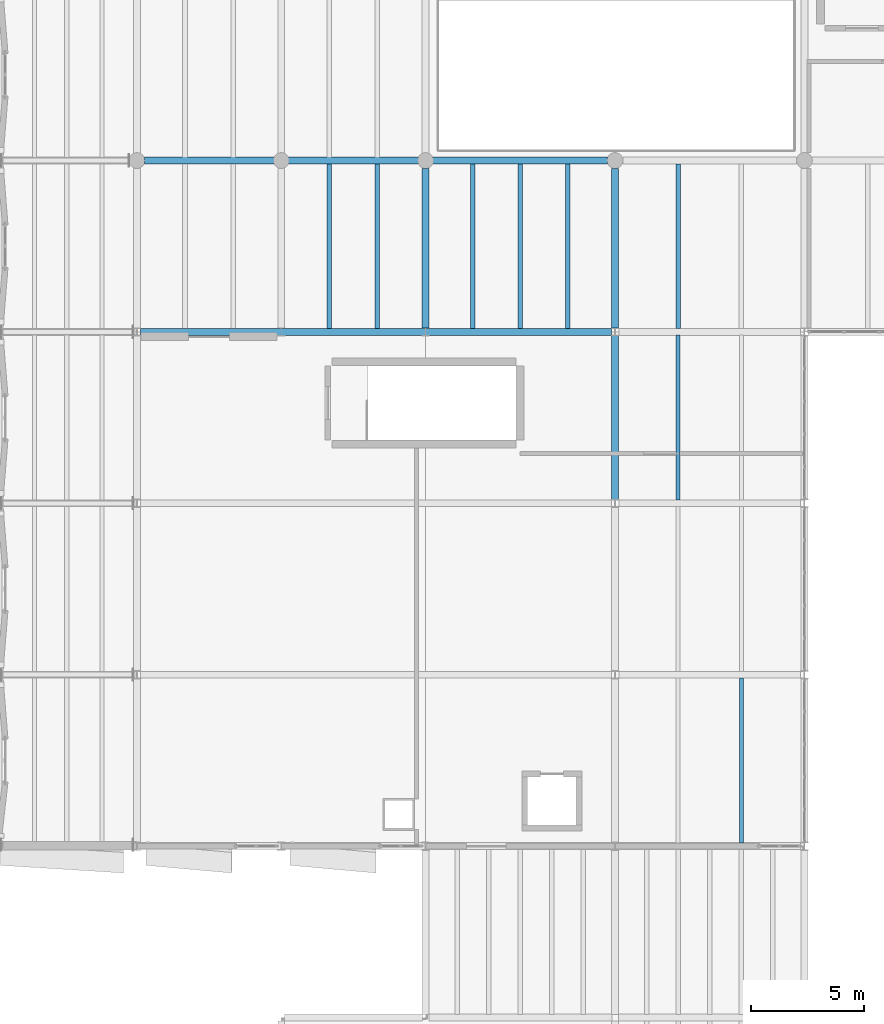
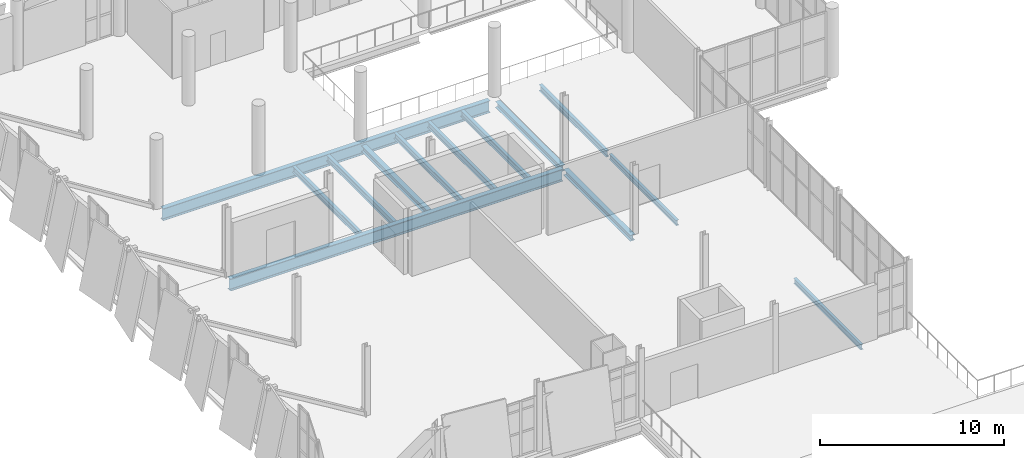
# One storey, part 13 of 74: 13 beams.
"""IFC4 building model written with IfcOpenShell, lengths in metres."""

from ifc_helpers import new_model, si_unit, direction, frame, origin, origin_2d, place, context, subcontext, project, spatial, i_section, extrude, material, material_profile, profile_set, type_object, element, save


model = new_model("IFC4")

# Units and contexts
model_context = context("Model", 3, precision=1e-05, world=origin(), true_north=direction((0.0, 1.0)))
body_context = subcontext(model_context, "Body", "Model", "MODEL_VIEW")
ifc_project = project(units=[si_unit("LENGTHUNIT", "METRE"), si_unit("AREAUNIT", "SQUARE_METRE"), si_unit("VOLUMEUNIT", "CUBIC_METRE"), si_unit("PLANEANGLEUNIT", "RADIAN"), si_unit("MASSUNIT", "GRAM", prefix="KILO")], contexts=[model_context])

# Site, building, storey
site_placement = place(None, origin())
site = spatial("IfcSite", under=ifc_project, at=site_placement, CompositionType="ELEMENT")
building_placement = place(site_placement, origin())
building = spatial("IfcBuilding", under=site, at=building_placement, Name="Shengluoqiao Park Theatre", CompositionType="ELEMENT")
storey_placement = place(building_placement, frame((0.0, 0.0, 14.60009765625)))
storey = spatial("IfcBuildingStorey", under=building, at=storey_placement, Name="L03", CompositionType="ELEMENT", Elevation=14.60009765625)

# Beams
ifc_material_1 = material(Name="Steel Q355", Category="steel")
ifc_material_profile_1 = material_profile(ifc_material_1, i_section(OverallWidth=0.300048828125, OverallDepth=0.389892578125, WebThickness=0.010009765625, FlangeThickness=0.01611328125, FilletRadius=0.01806640625, at=origin_2d()), Name="HM 390x300x10x16")
ifc_profile_set_1 = profile_set([ifc_material_profile_1], Name="Steel Q355")
beam_type_1 = type_object("IfcBeamType", Name="STR-BM-G-HM390", PredefinedType="BEAM", material=ifc_profile_set_1)
beam_1_placement = place(storey_placement, frame((27.60009765625, 45.76611328125, -0.43505859375), z_axis=(0.0, 1.0, 0.0), x_axis=(-1.0, 0.0, 0.0)))
element("IfcBeam", 1, at=beam_1_placement, inside=storey, type_object=beam_type_1, Name="L03 Transverse Girder 01299", PredefinedType="BEAM", context=body_context, shape_type="SweptSolid", body=[
    extrude(i_section(OverallWidth=0.300048828125, OverallDepth=0.389892578125, WebThickness=0.010009765625, FlangeThickness=0.01611328125, FilletRadius=0.01806640625, at=origin_2d()), origin(), (0.0, 0.0, 1.0), 7.267822265625),
])
for number, where, z_axis, x_axis, name in (
    (2, (19.199951171875, 53.365966796875, -0.43505859375), (0.0, 1.0, 0.0), (-1.0, 0.0, 0.0), "L03 Transverse Girder 01315"),
    (3, (27.60009765625, 53.365966796875, -0.43505859375), (0.0, 1.0, 0.0), (-1.0, 0.0, 0.0), "L03 Transverse Girder 01318"),
):
    element("IfcBeam", number, at=place(storey_placement, frame(where, z_axis=z_axis, x_axis=x_axis)), inside=storey, type_object=beam_type_1, Name=name, PredefinedType="BEAM", context=body_context, shape_type="SweptSolid", body=[
        extrude(i_section(OverallWidth=0.300048828125, OverallDepth=0.389892578125, WebThickness=0.010009765625, FlangeThickness=0.01611328125, FilletRadius=0.01806640625, at=origin_2d()), origin(), (0.0, 0.0, 1.0), 7.090087890625),
    ])
ifc_material_2 = material(Name="Steel Q390", Category="steel")
ifc_material_profile_2 = material_profile(ifc_material_2, i_section(OverallWidth=0.300048828125, OverallDepth=0.800048828125, WebThickness=0.013916015625, FlangeThickness=0.02587890625, FilletRadius=0.02587890625, at=origin_2d()), Name="HN 800x300x14x26")
ifc_profile_set_2 = profile_set([ifc_material_profile_2], Name="Steel Q390")
beam_type_2 = type_object("IfcBeamType", Name="STR-BM-G-HN800", PredefinedType="BEAM", material=ifc_profile_set_2)
beam_2_placement = place(storey_placement, frame((6.56201171875, 53.199951171875, -0.64013671875), z_axis=(1.0, 0.0, 0.0), x_axis=(0.0, 1.0, 0.0)))
element("IfcBeam", 4, at=beam_2_placement, inside=storey, type_object=beam_type_2, Name="CT-V3-4 L03 Continuous Back-Span Chord", PredefinedType="BEAM", context=body_context, shape_type="SweptSolid", body=[
    extrude(i_section(OverallWidth=0.300048828125, OverallDepth=0.800048828125, WebThickness=0.013916015625, FlangeThickness=0.02587890625, FilletRadius=0.02587890625, at=origin_2d()), origin(), (0.0, 0.0, 1.0), 20.8759765625),
])
beam_3_placement = place(storey_placement, frame((6.738037109375, 60.800048828125, -0.64013671875), z_axis=(1.0, 0.0, 0.0), x_axis=(0.0, 1.0, 0.0)))
element("IfcBeam", 5, at=beam_3_placement, inside=storey, type_object=beam_type_2, Name="CT-V5-1 L03 Continuous Back-Span Chord", PredefinedType="BEAM", context=body_context, shape_type="SweptSolid", body=[
    extrude(i_section(OverallWidth=0.300048828125, OverallDepth=0.800048828125, WebThickness=0.013916015625, FlangeThickness=0.02587890625, FilletRadius=0.02587890625, at=origin_2d()), origin(), (0.0, 0.0, 1.0), 20.52392578125),
])
ifc_material_profile_3 = material_profile(ifc_material_1, i_section(OverallWidth=0.175048828125, OverallDepth=0.35009765625, WebThickness=0.007080078125, FlangeThickness=0.010986328125, FilletRadius=0.013916015625, at=origin_2d()), Name="HN 350x175x7x11")
ifc_profile_set_3 = profile_set([ifc_material_profile_3], Name="Steel Q355")
beam_type_3 = type_object("IfcBeamType", Name="STR-BM-J-HN350", PredefinedType="JOIST", material=ifc_profile_set_3)
beam_4_placement = place(storey_placement, frame((33.199951171875, 30.544921875, -0.4150390625), z_axis=(0.0, 1.0, 0.0), x_axis=(-1.0, 0.0, 0.0)))
element("IfcBeam", 6, at=beam_4_placement, inside=storey, type_object=beam_type_3, Name="L03 Composite Joist 01304", PredefinedType="JOIST", context=body_context, shape_type="SweptSolid", body=[
    extrude(i_section(OverallWidth=0.175048828125, OverallDepth=0.35009765625, WebThickness=0.007080078125, FlangeThickness=0.010986328125, FilletRadius=0.013916015625, at=origin_2d()), origin(), (0.0, 0.0, 1.0), 7.31005859375),
])
beam_5_placement = place(storey_placement, frame((30.39990234375, 45.7451171875, -0.4150390625), z_axis=(0.0, 1.0, 0.0), x_axis=(-1.0, 0.0, 0.0)))
element("IfcBeam", 7, at=beam_5_placement, inside=storey, type_object=beam_type_3, Name="L03 Composite Joist 01307", PredefinedType="JOIST", context=body_context, shape_type="SweptSolid", body=[
    extrude(i_section(OverallWidth=0.175048828125, OverallDepth=0.35009765625, WebThickness=0.007080078125, FlangeThickness=0.010986328125, FilletRadius=0.013916015625, at=origin_2d()), origin(), (0.0, 0.0, 1.0), 7.309814453125),
])
ifc_material_profile_4 = material_profile(ifc_material_1, i_section(OverallWidth=0.199951171875, OverallDepth=0.39990234375, WebThickness=0.008056640625, FlangeThickness=0.012939453125, FilletRadius=0.01611328125, at=origin_2d()), Name="HN 400x200x8x13")
ifc_profile_set_4 = profile_set([ifc_material_profile_4], Name="Steel Q355")
beam_type_4 = type_object("IfcBeamType", Name="STR-BM-J-HN400", PredefinedType="JOIST", material=ifc_profile_set_4)
for number, where, z_axis, x_axis, name in (
    (8, (14.933349609375, 53.344970703125, -0.440185546875), (0.0, 1.0, 0.0), (-1.0, 0.0, 0.0), "L03 Composite Joist 01326"),
    (9, (17.066650390625, 53.344970703125, -0.440185546875), (0.0, 1.0, 0.0), (-1.0, 0.0, 0.0), "L03 Composite Joist 01327"),
    (10, (21.300048828125, 53.344970703125, -0.440185546875), (0.0, 1.0, 0.0), (-1.0, 0.0, 0.0), "L03 Composite Joist 01332"),
    (11, (23.39990234375, 53.344970703125, -0.440185546875), (0.0, 1.0, 0.0), (-1.0, 0.0, 0.0), "L03 Composite Joist 01333"),
    (12, (25.5, 53.344970703125, -0.440185546875), (0.0, 1.0, 0.0), (-1.0, 0.0, 0.0), "L03 Composite Joist 01334"),
    (13, (30.39990234375, 53.344970703125, -0.440185546875), (0.0, 1.0, 0.0), (-1.0, 0.0, 0.0), "L03 Composite Joist 01347"),
):
    element("IfcBeam", number, at=place(storey_placement, frame(where, z_axis=z_axis, x_axis=x_axis)), inside=storey, type_object=beam_type_4, Name=name, PredefinedType="JOIST", context=body_context, shape_type="SweptSolid", body=[
        extrude(i_section(OverallWidth=0.199951171875, OverallDepth=0.39990234375, WebThickness=0.008056640625, FlangeThickness=0.012939453125, FilletRadius=0.01611328125, at=origin_2d()), origin(), (0.0, 0.0, 1.0), 7.31005859375),
    ])

save(model, "model.ifc")
